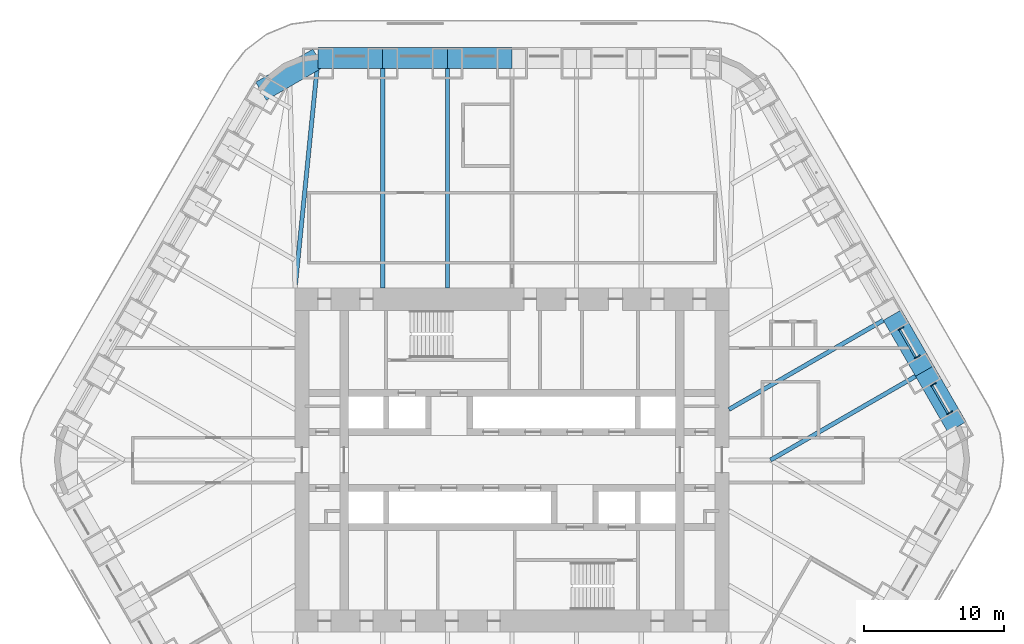
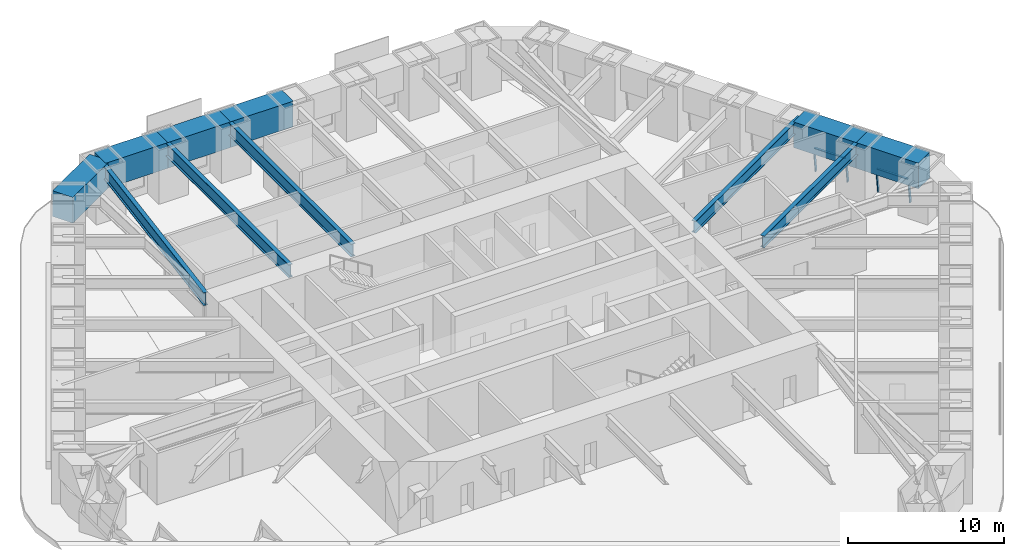
# One storey, part 9 of 20: 11 beams, 6 members, 2 elements without a shape of their own.
"""IFC4 building model written with IfcOpenShell, lengths in metres."""

import ifcopenshell
import ifcopenshell.guid

model = None  # the IFC model being written
_history = None  # IfcOwnerHistory: only IFC2X3 demands one
_inside = {}  # id of a spatial element -> (the spatial element, [elements in it])
_under = {}  # id of a project, library or spatial element -> (it, [spatial elements below it])
_declared = {}  # id of a project -> (the project, [libraries it declares])
_typed = {}  # id of a type object -> (the type object, [elements of that type])
_made_of = {}  # id of a material, layer set ... -> (it, [elements and type objects made of it])


def new_model(schema):
    """Start an empty IFC model of exactly this schema.

    Asked for "IFC4X3", IfcOpenShell would pick the latest addendum, in which some entities
    have other attributes; the version numbers below select the first issue.
    IFC2X3 requires an IfcOwnerHistory on every rooted entity: one is made here for all.
    """
    global model, _history
    if schema == "IFC4X3":
        model = ifcopenshell.file(schema_version=(4, 3, 0, 0))
    else:
        model = ifcopenshell.file(schema=schema)
    _inside.clear()
    _under.clear()
    _declared.clear()
    _typed.clear()
    _made_of.clear()
    _history = None
    if model.schema == "IFC2X3":
        org = make("IfcOrganization", Name="unknown")
        user = make(
            "IfcPersonAndOrganization",
            ThePerson=make("IfcPerson", FamilyName="unknown"),
            TheOrganization=org,
        )
        app = make(
            "IfcApplication",
            ApplicationDeveloper=org,
            Version="unknown",
            ApplicationFullName="unknown",
            ApplicationIdentifier="unknown",
        )
        _history = make(
            "IfcOwnerHistory",
            OwningUser=user,
            OwningApplication=app,
            ChangeAction="ADDED",
            CreationDate=0,
        )
    return model


def make(cls, **values):
    """One entity of the class cls with the attributes given. An attribute that is None is left unset."""
    return model.create_entity(
        cls, **{name: value for name, value in values.items() if value is not None}
    )


def rooted(cls, **values):
    """An entity with a GlobalId (a new one), such as an element, a storey or a relation."""
    return make(cls, GlobalId=ifcopenshell.guid.new(), OwnerHistory=_history, **values)


def si_unit(unit_type, name, prefix=None):
    """IfcSIUnit, for example si_unit("LENGTHUNIT", "METRE", prefix="MILLI")."""
    return make("IfcSIUnit", UnitType=unit_type, Prefix=prefix, Name=name)


def assignment(units):
    """IfcUnitAssignment: the units of a project."""
    return None if units is None else make("IfcUnitAssignment", Units=units)


def point(xyz):
    """IfcCartesianPoint."""
    return None if xyz is None else make("IfcCartesianPoint", Coordinates=xyz)


def direction(xyz):
    """IfcDirection."""
    return None if xyz is None else make("IfcDirection", DirectionRatios=xyz)


def frame(location, z_axis=None, x_axis=None):
    """IfcAxis2Placement3D, a coordinate frame: its origin and axes. An axis left out is left unset."""
    return make(
        "IfcAxis2Placement3D",
        Location=point(location),
        Axis=direction(z_axis),
        RefDirection=direction(x_axis),
    )


def frame_2d(location, x_axis=None):
    """IfcAxis2Placement2D, a coordinate frame in the plane: its origin and x axis."""
    return make(
        "IfcAxis2Placement2D", Location=point(location), RefDirection=direction(x_axis)
    )


def origin():
    """The frame at (0, 0, 0) with its axes left unset."""
    return frame((0.0, 0.0, 0.0))


def origin_2d():
    """The frame at (0, 0) in the plane with its x axis left unset."""
    return frame_2d((0.0, 0.0))


def place(relative_to, where):
    """IfcLocalPlacement: puts the frame where relative to a parent placement (None: the world)."""
    return make(
        "IfcLocalPlacement", PlacementRelTo=relative_to, RelativePlacement=where
    )


def context(
    kind, dimensions, precision=None, world=None, true_north=None, identifier=None
):
    """IfcGeometricRepresentationContext, for example the 3D "Model" context."""
    return make(
        "IfcGeometricRepresentationContext",
        ContextIdentifier=identifier,
        ContextType=kind,
        CoordinateSpaceDimension=dimensions,
        Precision=precision,
        WorldCoordinateSystem=world,
        TrueNorth=true_north,
    )


def subcontext(parent, identifier, kind, view, scale=None):
    """IfcGeometricRepresentationSubContext, for example "Body" below "Model"."""
    return make(
        "IfcGeometricRepresentationSubContext",
        ContextIdentifier=identifier,
        ContextType=kind,
        ParentContext=parent,
        TargetScale=scale,
        TargetView=view,
    )


def project(units=None, contexts=None):
    """IfcProject with its units and contexts."""
    return rooted(
        "IfcProject",
        Name="project",
        RepresentationContexts=contexts,
        UnitsInContext=assignment(units),
    )


def spatial(cls, under=None, at=None, **own):
    """A site, building, storey or space (cls), placed at a placement, below another one or the project."""
    s = rooted(cls, ObjectPlacement=at, **own)
    if under is not None:
        _under.setdefault(under.id(), (under, []))[1].append(s)
    return s


def profile(cls, at=None, kind="AREA", **sizes):
    """A parametric profile (cls). Its sizes go by their IFC names, for example OverallWidth=200.0."""
    return make(cls, ProfileType=kind, Position=at, **sizes)


def rectangle(**sizes):
    """IfcRectangleProfileDef."""
    return profile("IfcRectangleProfileDef", **sizes)


def i_section(**sizes):
    """IfcIShapeProfileDef."""
    return profile("IfcIShapeProfileDef", **sizes)


def extrude(swept, where, along, depth):
    """IfcExtrudedAreaSolid: the profile swept, set in the frame where, extruded along a direction by depth."""
    return make(
        "IfcExtrudedAreaSolid",
        SweptArea=swept,
        Position=where,
        ExtrudedDirection=direction(along),
        Depth=depth,
    )


def shape(context_of_items, identifier, shape_type, items):
    """IfcShapeRepresentation: the items that make up one representation, for example the "Body"."""
    return make(
        "IfcShapeRepresentation",
        ContextOfItems=context_of_items,
        RepresentationIdentifier=identifier,
        RepresentationType=shape_type,
        Items=items,
    )


def material(Name=None, Category=None):
    """IfcMaterial."""
    return make("IfcMaterial", Name=Name, Category=Category)


def material_profile(
    of_material, cross_section, Name=None, Category=None, Priority=None
):
    """IfcMaterialProfile: a cross section and its material."""
    return make(
        "IfcMaterialProfile",
        Name=Name,
        Material=of_material,
        Profile=cross_section,
        Priority=Priority,
        Category=Category,
    )


def profile_set(profiles, Name=None, composite=None):
    """IfcMaterialProfileSet."""
    return make(
        "IfcMaterialProfileSet",
        Name=Name,
        MaterialProfiles=profiles,
        CompositeProfile=composite,
    )


def made_of(thing, what):
    """Note that an element or type object is made of a material, layer set ...; save() writes the relation."""
    if what is not None:
        _made_of.setdefault(what.id(), (what, []))[1].append(thing)
    return thing


def type_object(cls, material=None, **own):
    """A type object (cls), such as IfcWallType, which elements share."""
    return made_of(rooted(cls, **own), material)


def element(
    cls,
    number,
    at=None,
    inside=None,
    cuts=None,
    type_object=None,
    material=None,
    context=None,
    identifier="Body",
    shape_type=None,
    held_by="IfcProductDefinitionShape",
    body=None,
    shapes=None,
    **own,
):
    """One element of the class cls, such as IfcWall. Its Tag is "e" and its number.

    at: its placement. inside: the storey or other place that contains it. cuts: it is an
    opening in that element (IfcRelVoidsElement). A single representation is given by context,
    identifier, shape_type and body (its items); several are given by shapes. held_by: the class
    of the entity that holds the representations. save() writes the other relations.
    """
    e = rooted(cls, Tag="e%d" % number, ObjectPlacement=at, **own)
    if body is not None:
        shapes = [shape(context, identifier, shape_type, body)]
    if shapes is not None:
        e.Representation = make(held_by, Representations=shapes)
    if inside is not None:
        _inside.setdefault(inside.id(), (inside, []))[1].append(e)
    if cuts is not None:
        rooted(
            "IfcRelVoidsElement", RelatingBuildingElement=cuts, RelatedOpeningElement=e
        )
    if type_object is not None:
        _typed.setdefault(type_object.id(), (type_object, []))[1].append(e)
    return made_of(e, material)


def aggregate(whole, parts):
    """IfcRelAggregates: a whole, such as a stair, and the parts it consists of."""
    return rooted("IfcRelAggregates", RelatingObject=whole, RelatedObjects=parts)


def save(model, path):
    """Write the relations noted so far, then the file.

    IfcRelAggregates (storeys below a building ...), IfcRelContainedInSpatialStructure (elements
    in a storey), IfcRelDefinesByType, IfcRelAssociatesMaterial and IfcRelDeclares: one each for
    every whole, place, type object, material and project.
    """
    for whole, parts in _under.values():
        aggregate(whole, parts)
    for where, things in _inside.values():
        rooted(
            "IfcRelContainedInSpatialStructure",
            RelatedElements=things,
            RelatingStructure=where,
        )
    for kind, things in _typed.values():
        rooted("IfcRelDefinesByType", RelatedObjects=things, RelatingType=kind)
    for what, things in _made_of.values():
        rooted("IfcRelAssociatesMaterial", RelatedObjects=things, RelatingMaterial=what)
    for by, libraries in _declared.values():
        rooted("IfcRelDeclares", RelatingContext=by, RelatedDefinitions=libraries)
    model.write(path)


model = new_model("IFC4")

# Units and contexts
model_context = context("Model", 3, precision=1e-05, world=origin(), true_north=direction((0.0, 1.0)))
body_context = subcontext(model_context, "Body", "Model", "MODEL_VIEW")
ifc_project = project(units=[si_unit("LENGTHUNIT", "METRE"), si_unit("AREAUNIT", "SQUARE_METRE"), si_unit("VOLUMEUNIT", "CUBIC_METRE"), si_unit("PLANEANGLEUNIT", "RADIAN"), si_unit("MASSUNIT", "GRAM", prefix="KILO")], contexts=[model_context])

# Site, building, storey
site_placement = place(None, origin())
site = spatial("IfcSite", under=ifc_project, at=site_placement, CompositionType="ELEMENT")
building_placement = place(site_placement, origin())
building = spatial("IfcBuilding", under=site, at=building_placement, Name="Tarfa Lantern Tower", CompositionType="ELEMENT")
storey_placement = place(building_placement, frame((0.0, 0.0, 215.5)))
storey = spatial("IfcBuildingStorey", under=building, at=storey_placement, Name="L48", CompositionType="ELEMENT", Elevation=215.5)

# Curtain wall, members
ifc_material_1 = material(Name="Aluminium framed curtain wall", Category="aluminium")
curtain_wall_type = type_object("IfcCurtainWallType", Name="CW3 CANTED GLAZING HIGH ZONE 2000", PredefinedType="USERDEFINED", material=ifc_material_1)
curtain_wall_1_placement = place(storey_placement, origin())
curtain_wall_1 = element("IfcCurtainWall", 1, at=curtain_wall_1_placement, inside=storey, type_object=curtain_wall_type, Name="CW3 NE L48", ObjectType="CURTAIN WALL", PredefinedType="USERDEFINED")
ifc_material_2 = material(Name="Aluminium mullion", Category="aluminium")
ifc_material_profile_1 = material_profile(ifc_material_2, rectangle(XDim=0.06494140625, YDim=0.199951171875, at=origin_2d()), Name="AL MULLION 65x200")
ifc_profile_set_1 = profile_set([ifc_material_profile_1], Name="Aluminium mullion")
member_type_1 = type_object("IfcMemberType", Name="CWM1 MULLION 65x200", PredefinedType="MULLION", material=ifc_profile_set_1)
member_1_placement = place(storey_placement, frame((31.39013671875, 3.4306640625, 0.0), z_axis=(-0.107439978116, -0.062017213975, 0.992275423596), x_axis=(0.499919672301, -0.866071776036, 0.0)))
member_1 = element("IfcMember", 2, at=member_1_placement, type_object=member_type_1, Name="CW3 mullion 1", PredefinedType="MULLION", context=body_context, shape_type="SweptSolid", body=[
    extrude(rectangle(XDim=0.06494140625, YDim=0.199951171875, at=origin_2d()), origin(), (0.0, 0.0, 1.0), 2.015625),
])
member_2_placement = place(storey_placement, frame((30.213134765625, 5.46923828125, 0.0), z_axis=(-0.107439978116, -0.062017213975, 0.992275423596), x_axis=(0.499919672301, -0.866071776036, 0.0)))
member_2 = element("IfcMember", 3, at=member_2_placement, type_object=member_type_1, Name="CW3 mullion 2", PredefinedType="MULLION", context=body_context, shape_type="SweptSolid", body=[
    extrude(rectangle(XDim=0.06494140625, YDim=0.199951171875, at=origin_2d()), origin(), (0.0, 0.0, 1.0), 2.015625),
])

curtain_wall_2_placement = place(storey_placement, origin())
curtain_wall_2 = element("IfcCurtainWall", 4, at=curtain_wall_2_placement, inside=storey, type_object=curtain_wall_type, Name="CW3 NE L48", ObjectType="CURTAIN WALL", PredefinedType="USERDEFINED")
member_3_placement = place(storey_placement, frame((29.08056640625, 7.4306640625, 0.0), z_axis=(-0.107320246625, -0.062018020623, 0.992288329964), x_axis=(0.500342721131, -0.865827443207, 0.0)))
member_3 = element("IfcMember", 5, at=member_3_placement, type_object=member_type_1, Name="CW3 mullion 1", PredefinedType="MULLION", context=body_context, shape_type="SweptSolid", body=[
    extrude(rectangle(XDim=0.06494140625, YDim=0.199951171875, at=origin_2d()), origin(), (0.0, 0.0, 1.0), 2.015625),
])
member_4_placement = place(storey_placement, frame((27.90380859375, 9.46923828125, 0.0), z_axis=(-0.107439978116, -0.062017213975, 0.992275423596), x_axis=(0.499919672301, -0.866071776036, 0.0)))
member_4 = element("IfcMember", 6, at=member_4_placement, type_object=member_type_1, Name="CW3 mullion 2", PredefinedType="MULLION", context=body_context, shape_type="SweptSolid", body=[
    extrude(rectangle(XDim=0.06494140625, YDim=0.199951171875, at=origin_2d()), origin(), (0.0, 0.0, 1.0), 2.015625),
])

# Member
ifc_material_3 = material(Name="Aluminium transom", Category="aluminium")
ifc_material_profile_2 = material_profile(ifc_material_3, rectangle(XDim=0.14990234375, YDim=0.06494140625, at=origin_2d()), Name="AL TRANSOM 150x65")
ifc_profile_set_2 = profile_set([ifc_material_profile_2], Name="Aluminium transom")
member_type_2 = type_object("IfcMemberType", Name="CWT1 TRANSOM 150x65", PredefinedType="USERDEFINED", material=ifc_profile_set_2)
member_5_placement = place(storey_placement, frame((31.160888671875, 3.3359375, 1.967529296875), z_axis=(-0.500039451542, 0.866002625228, 0.0), x_axis=(-0.866002625228, -0.500039451542, 0.0)))
member_5 = element("IfcMember", 7, at=member_5_placement, type_object=member_type_2, Name="CW3 transom 1.2", ObjectType="TRANSOM", PredefinedType="USERDEFINED", context=body_context, shape_type="SweptSolid", body=[
    extrude(rectangle(XDim=0.14990234375, YDim=0.06494140625, at=origin_2d()), origin(), (0.0, 0.0, 1.0), 2.288818359375),
])

aggregate(curtain_wall_1, [member_1, member_2, member_5])

member_6_placement = place(storey_placement, frame((28.8515625, 7.3359375, 1.967529296875), z_axis=(-0.500039451542, 0.866002625228, 0.0), x_axis=(-0.866002625228, -0.500039451542, 0.0)))
member_6 = element("IfcMember", 8, at=member_6_placement, type_object=member_type_2, Name="CW3 transom 1.2", ObjectType="TRANSOM", PredefinedType="USERDEFINED", context=body_context, shape_type="SweptSolid", body=[
    extrude(rectangle(XDim=0.14990234375, YDim=0.06494140625, at=origin_2d()), origin(), (0.0, 0.0, 1.0), 2.288818359375),
])

aggregate(curtain_wall_2, [member_3, member_4, member_6])

# Beams
ifc_material_4 = material(Name="Concrete C80/95", Category="concrete")
ifc_material_profile_3 = material_profile(ifc_material_4, rectangle(XDim=1.5, YDim=2.0, at=origin_2d()), Name="RC 1500x2000")
ifc_profile_set_3 = profile_set([ifc_material_profile_3], Name="Concrete C80/95")
beam_type_1 = type_object("IfcBeamType", Name="RB3 RC 1500x2000", PredefinedType="BEAM", material=ifc_profile_set_3)
beam_1_placement = place(storey_placement, frame((31.800537109375, 2.360107421875, 3.0), z_axis=(-0.500027479704, 0.866009537788, 0.0), x_axis=(-0.866009537788, -0.500027479704, 0.0)))
element("IfcBeam", 9, at=beam_1_placement, inside=storey, type_object=beam_type_1, Name="Edge beam NE0", PredefinedType="BEAM", context=body_context, shape_type="SweptSolid", body=[
    extrude(rectangle(XDim=1.5, YDim=2.0, at=origin_2d()), origin(), (0.0, 0.0, 1.0), 4.618896484375),
])
beam_2_placement = place(storey_placement, frame((29.490966796875, 6.360107421875, 3.0), z_axis=(-0.499987836815, 0.866032426089, 0.0), x_axis=(-0.866032426089, -0.499987836815, 0.0)))
element("IfcBeam", 10, at=beam_2_placement, inside=storey, type_object=beam_type_1, Name="Edge beam NE1", PredefinedType="BEAM", context=body_context, shape_type="SweptSolid", body=[
    extrude(rectangle(XDim=1.5, YDim=2.0, at=origin_2d()), origin(), (0.0, 0.0, 1.0), 4.61865234375),
])
beam_3_placement = place(storey_placement, frame((0.0, 28.719970703125, 3.0), z_axis=(-1.0, 0.0, 0.0), x_axis=(0.0, -1.0, 0.0)))
element("IfcBeam", 11, at=beam_3_placement, inside=storey, type_object=beam_type_1, Name="Edge beam N3", PredefinedType="BEAM", context=body_context, shape_type="SweptSolid", body=[
    extrude(rectangle(XDim=1.5, YDim=2.0, at=origin_2d()), origin(), (0.0, 0.0, 1.0), 4.618896484375),
])
beam_4_placement = place(storey_placement, frame((-4.618896484375, 28.719970703125, 3.0), z_axis=(-1.0, 0.0, 0.0), x_axis=(0.0, -1.0, 0.0)))
element("IfcBeam", 12, at=beam_4_placement, inside=storey, type_object=beam_type_1, Name="Edge beam N4", PredefinedType="BEAM", context=body_context, shape_type="SweptSolid", body=[
    extrude(rectangle(XDim=1.5, YDim=2.0, at=origin_2d()), origin(), (0.0, 0.0, 1.0), 4.61865234375),
])
beam_5_placement = place(storey_placement, frame((-9.237548828125, 28.719970703125, 3.0), z_axis=(-1.0, 0.0, 0.0), x_axis=(0.0, -1.0, 0.0)))
element("IfcBeam", 13, at=beam_5_placement, inside=storey, type_object=beam_type_1, Name="Edge beam N5", PredefinedType="BEAM", context=body_context, shape_type="SweptSolid", body=[
    extrude(rectangle(XDim=1.5, YDim=2.0, at=origin_2d()), origin(), (0.0, 0.0, 1.0), 4.618896484375),
])
beam_6_placement = place(storey_placement, frame((-13.8564453125, 28.719970703125, 3.0), z_axis=(-0.866038294681, -0.499977671647, 0.0), x_axis=(0.499977671647, -0.866038294681, 0.0)))
element("IfcBeam", 14, at=beam_6_placement, inside=storey, type_object=beam_type_1, Name="Edge beam N6", PredefinedType="BEAM", context=body_context, shape_type="SweptSolid", body=[
    extrude(rectangle(XDim=1.5, YDim=2.0, at=origin_2d()), origin(), (0.0, 0.0, 1.0), 4.719970703125),
])
ifc_material_5 = material(Name="Steel S460M", Category="steel")
ifc_material_profile_4 = material_profile(ifc_material_5, i_section(OverallWidth=0.302001953125, OverallDepth=1.008056640625, WebThickness=0.02099609375, FlangeThickness=0.0400390625, FilletRadius=0.030029296875, at=origin_2d()), Name="UB1016x305x349")
ifc_profile_set_4 = profile_set([ifc_material_profile_4], Name="Steel S460M")
beam_type_2 = type_object("IfcBeamType", Name="UB1016x305x349", PredefinedType="BEAM", material=ifc_profile_set_4)
for number, where, z_axis, x_axis, name in (
    (15, (-4.618896484375, 28.719970703125, 3.495849609375), (0.0, -1.0, 0.0), (1.0, 0.0, 0.0), "Floor beam N4"),
    (16, (-9.237548828125, 28.719970703125, 3.495849609375), (0.0, -1.0, 0.0), (1.0, 0.0, 0.0), "Floor beam N5"),
):
    element("IfcBeam", number, at=place(storey_placement, frame(where, z_axis=z_axis, x_axis=x_axis)), inside=storey, type_object=beam_type_2, Name=name, PredefinedType="BEAM", context=body_context, shape_type="SweptSolid", body=[
        extrude(i_section(OverallWidth=0.302001953125, OverallDepth=1.008056640625, WebThickness=0.02099609375, FlangeThickness=0.0400390625, FilletRadius=0.030029296875, at=origin_2d()), origin(), (0.0, 0.0, 1.0), 16.419921875),
    ])
beam_7_placement = place(storey_placement, frame((-13.8564453125, 28.719970703125, 3.495849609375), z_axis=(-0.099597466746, -0.995027810977, 0.0), x_axis=(0.995027810977, -0.099597466746, 0.0)))
element("IfcBeam", 17, at=beam_7_placement, inside=storey, type_object=beam_type_2, Name="Floor beam N6", PredefinedType="BEAM", context=body_context, shape_type="SweptSolid", body=[
    extrude(i_section(OverallWidth=0.302001953125, OverallDepth=1.008056640625, WebThickness=0.02099609375, FlangeThickness=0.0400390625, FilletRadius=0.030029296875, at=origin_2d()), origin(), (0.0, 0.0, 1.0), 16.501953125),
])
ifc_material_profile_5 = material_profile(ifc_material_5, i_section(OverallWidth=0.305419921875, OverallDepth=0.91845703125, WebThickness=0.017333984375, FlangeThickness=0.02783203125, FilletRadius=0.01904296875, at=origin_2d()), Name="UB914x305x253")
ifc_profile_set_5 = profile_set([ifc_material_profile_5], Name="Steel S460M")
beam_type_3 = type_object("IfcBeamType", Name="UB914x305x253", PredefinedType="BEAM", material=ifc_profile_set_5)
beam_8_placement = place(storey_placement, frame((29.490966796875, 6.360107421875, 3.540771484375), z_axis=(-0.866022258038, -0.500005448553, 0.0), x_axis=(0.500005448553, -0.866022258038, 0.0)))
element("IfcBeam", 18, at=beam_8_placement, inside=storey, type_object=beam_type_3, Name="Floor beam NE1", PredefinedType="BEAM", context=body_context, shape_type="SweptSolid", body=[
    extrude(i_section(OverallWidth=0.305419921875, OverallDepth=0.91845703125, WebThickness=0.017333984375, FlangeThickness=0.02783203125, FilletRadius=0.01904296875, at=origin_2d()), origin(), (0.0, 0.0, 1.0), 12.719970703125),
])
beam_9_placement = place(storey_placement, frame((27.181640625, 10.360107421875, 3.540771484375), z_axis=(-0.866018002818, -0.500012818631, 0.0), x_axis=(0.500012818631, -0.866018002818, 0.0)))
element("IfcBeam", 19, at=beam_9_placement, inside=storey, type_object=beam_type_3, Name="Floor beam NE2", PredefinedType="BEAM", context=body_context, shape_type="SweptSolid", body=[
    extrude(i_section(OverallWidth=0.305419921875, OverallDepth=0.91845703125, WebThickness=0.017333984375, FlangeThickness=0.02783203125, FilletRadius=0.01904296875, at=origin_2d()), origin(), (0.0, 0.0, 1.0), 13.489013671875),
])

save(model, "model.ifc")
